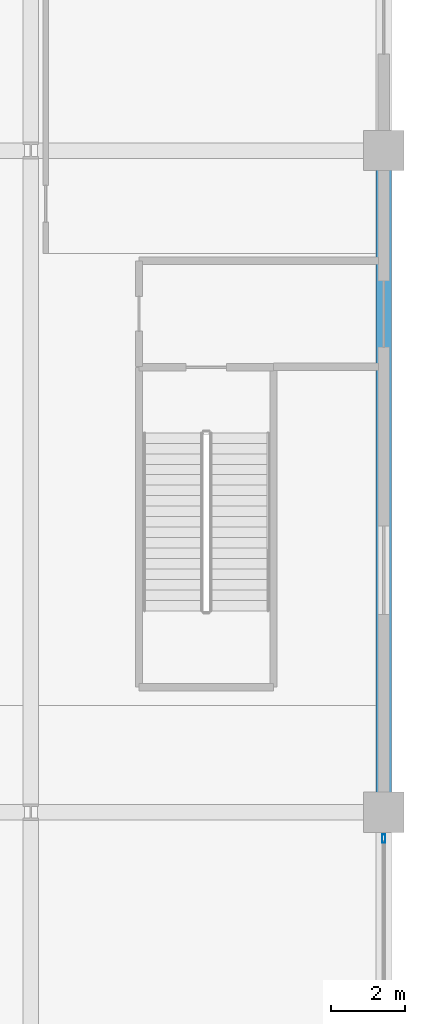
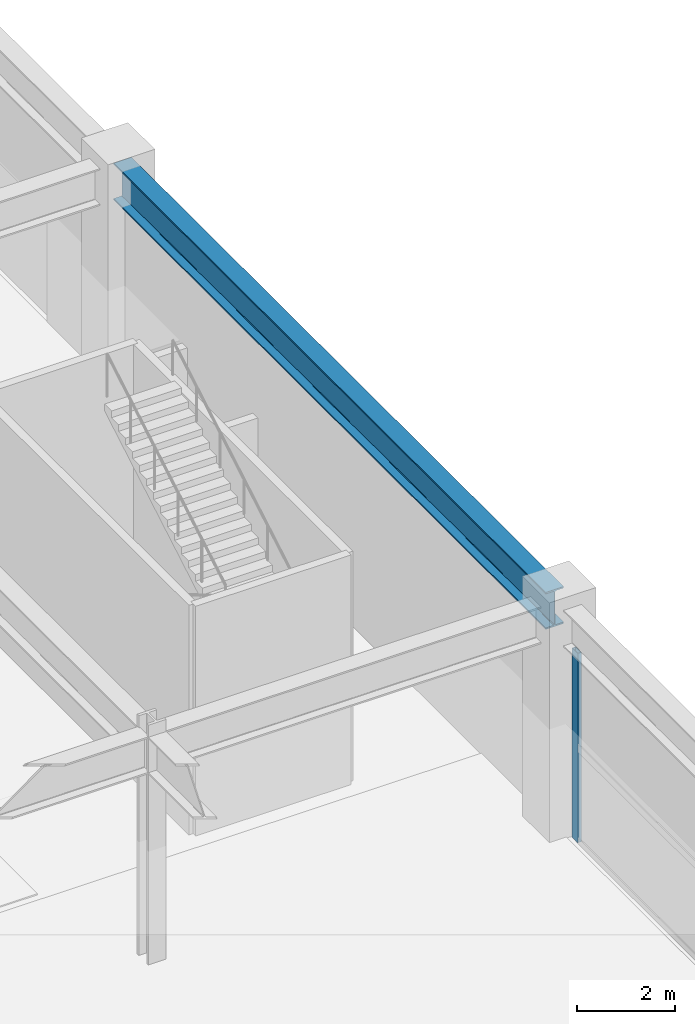
# One storey, part 24 of 41: 1 beam, 1 member, 1 element without a shape of its own.
"""IFC4 building model written with IfcOpenShell, lengths in metres."""

from ifc_helpers import new_model, si_unit, direction, frame, origin, origin_2d, place, context, subcontext, project, spatial, hollow_rectangle, i_section, extrude, material, material_profile, profile_set, type_object, element, aggregate, save


model = new_model("IFC4")

# Units and contexts
model_context = context("Model", 3, precision=1e-05, world=origin(), true_north=direction((0.0, 1.0)))
body_context = subcontext(model_context, "Body", "Model", "MODEL_VIEW")
ifc_project = project(units=[si_unit("LENGTHUNIT", "METRE"), si_unit("AREAUNIT", "SQUARE_METRE"), si_unit("VOLUMEUNIT", "CUBIC_METRE"), si_unit("PLANEANGLEUNIT", "RADIAN"), si_unit("MASSUNIT", "GRAM", prefix="KILO")], contexts=[model_context])

# Site, building, storey
site_placement = place(None, origin())
site = spatial("IfcSite", under=ifc_project, at=site_placement, CompositionType="ELEMENT")
building_placement = place(site_placement, origin())
building = spatial("IfcBuilding", under=site, at=building_placement, Name="Kovane Verandah Tower", CompositionType="ELEMENT")
storey_placement = place(building_placement, origin())
storey = spatial("IfcBuildingStorey", under=building, at=storey_placement, Name="L00", CompositionType="ELEMENT", Elevation=0.0)

# Beam
ifc_material_1 = material(Name="Steel S460", Category="steel")
ifc_material_profile_1 = material_profile(ifc_material_1, i_section(OverallWidth=0.42041015625, OverallDepth=0.9208984375, WebThickness=0.021484375, FlangeThickness=0.03662109375, FilletRadius=0.024169921875, at=origin_2d()), Name="UB914x419x388")
ifc_profile_set_1 = profile_set([ifc_material_profile_1], Name="Steel S460")
beam_type = type_object("IfcBeamType", Name="BM-UB914x388", PredefinedType="BEAM", material=ifc_profile_set_1)
beam_placement = place(storey_placement, frame((82.0, 18.679931640625, 5.239501953125), z_axis=(0.0, 1.0, 0.0), x_axis=(-1.0, 0.0, 0.0)))
element("IfcBeam", 1, at=beam_placement, inside=storey, type_object=beam_type, Name="L00 Podium Grid Girder Y56", PredefinedType="BEAM", context=body_context, shape_type="SweptSolid", body=[
    extrude(i_section(OverallWidth=0.42041015625, OverallDepth=0.9208984375, WebThickness=0.021484375, FlangeThickness=0.03662109375, FilletRadius=0.024169921875, at=origin_2d()), origin(), (0.0, 0.0, 1.0), 17.64013671875),
])

# Curtain wall, member
ifc_material_2 = material(Name="Champagne Anodised Aluminium Frame with Low-E Clear Laminated Glass", Category="aluminium")
curtain_wall_type = type_object("IfcCurtainWallType", Name="CW-SYS-01-POD", PredefinedType="NOTDEFINED", material=ifc_material_2)
curtain_wall_placement = place(storey_placement, origin())
curtain_wall = element("IfcCurtainWall", 2, at=curtain_wall_placement, inside=storey, type_object=curtain_wall_type, Name="Ground East Shopfront Curtain Wall Bay 2", PredefinedType="NOTDEFINED")
ifc_material_3 = material(Name="Champagne Anodised Aluminium 6063-T6", Category="aluminium")
ifc_material_profile_2 = material_profile(ifc_material_3, hollow_rectangle(XDim=0.0849609375, YDim=0.22998046875, WallThickness=0.00390625, at=origin_2d()), Name="AL85x230x4")
ifc_profile_set_2 = profile_set([ifc_material_profile_2], Name="Champagne Anodised Aluminium 6063-T6")
member_type = type_object("IfcMemberType", Name="CW-MUL-85x230", PredefinedType="MULLION", material=ifc_profile_set_2)
member_placement = place(storey_placement, frame((82.0, 17.780029296875, 0.02001953125), z_axis=(0.0, 0.0, 1.0), x_axis=(1.0, 0.0, 0.0)))
member = element("IfcMember", 3, at=member_placement, type_object=member_type, Name="Ground East Shopfront Curtain Wall Bay 2 Mullion 2", PredefinedType="MULLION", context=body_context, shape_type="SweptSolid", body=[
    extrude(hollow_rectangle(XDim=0.0849609375, YDim=0.22998046875, WallThickness=0.00390625, at=origin_2d()), origin(), (0.0, 0.0, 1.0), 4.718994140625),
])
aggregate(curtain_wall, [member])

save(model, "model.ifc")
